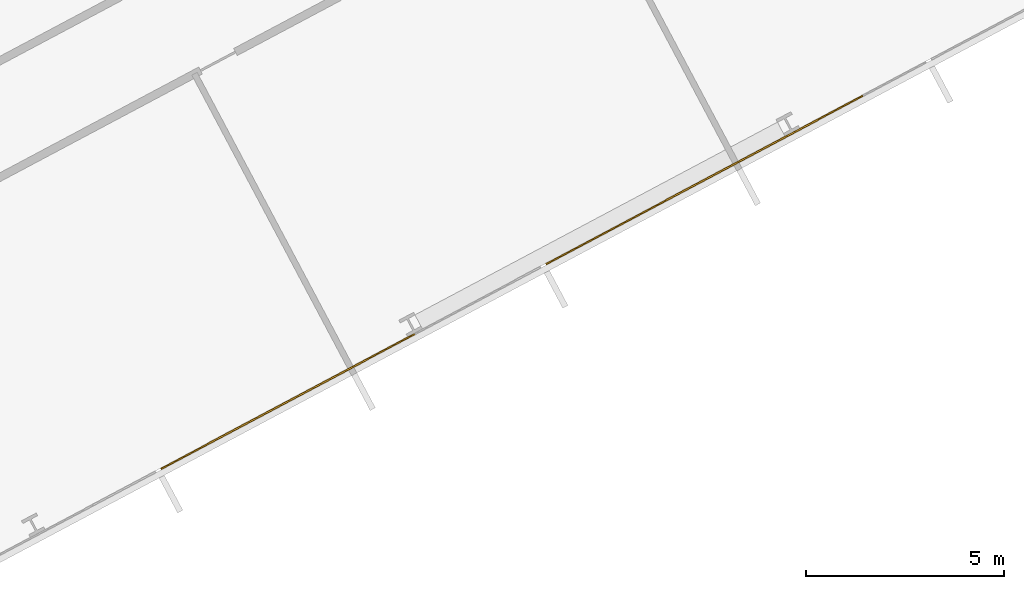
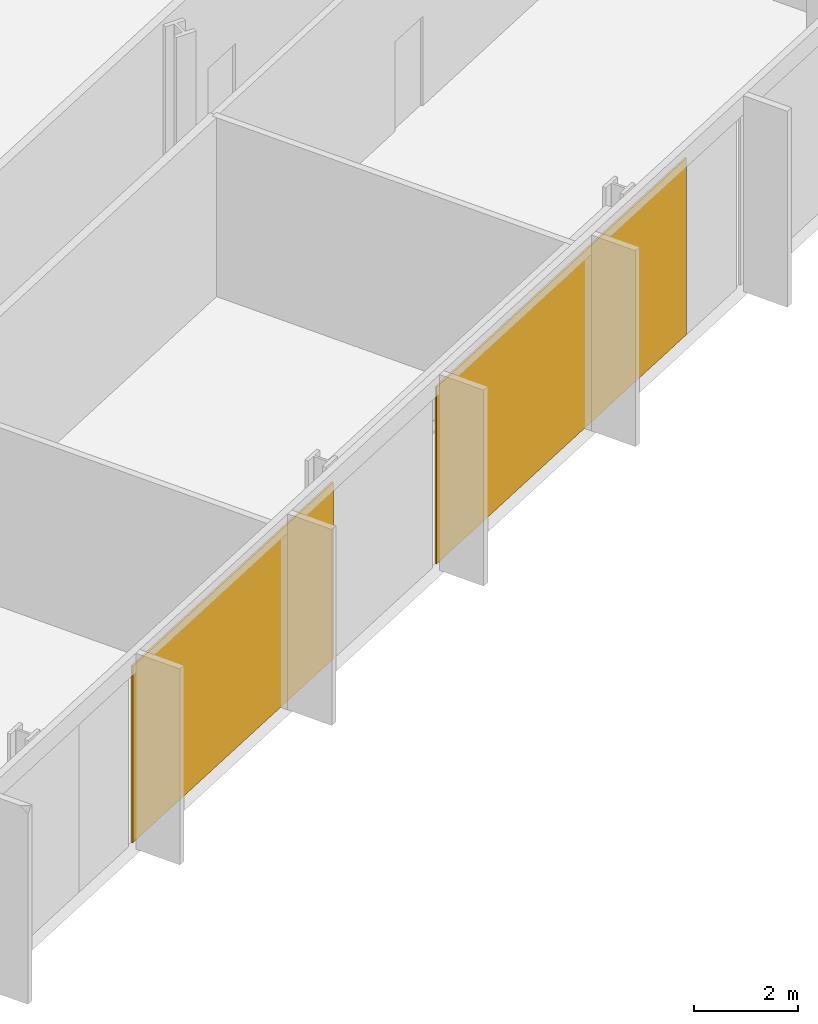
# One storey, part 28 of 31: 2 coverings, 1 element without a shape of its own.
"""IFC4 building model written with IfcOpenShell, lengths in metres."""

from ifc_helpers import new_model, si_unit, direction, frame, origin, origin_2d, place, context, subcontext, project, spatial, rectangle, extrude, material, layer, layer_set, type_object, element, aggregate, save


model = new_model("IFC4")

# Units and contexts
model_context = context("Model", 3, precision=1e-05, world=origin(), true_north=direction((0.0, 1.0)))
body_context = subcontext(model_context, "Body", "Model", "MODEL_VIEW")
ifc_project = project(units=[si_unit("LENGTHUNIT", "METRE"), si_unit("AREAUNIT", "SQUARE_METRE"), si_unit("VOLUMEUNIT", "CUBIC_METRE"), si_unit("PLANEANGLEUNIT", "RADIAN"), si_unit("MASSUNIT", "GRAM", prefix="KILO")], contexts=[model_context])

# Site, building, storey
site_placement = place(None, origin())
site = spatial("IfcSite", under=ifc_project, at=site_placement, CompositionType="ELEMENT")
building_placement = place(site_placement, origin())
building = spatial("IfcBuilding", under=site, at=building_placement, Name="Cormorant Relay Tower", CompositionType="ELEMENT")
storey_placement = place(building_placement, frame((0.0, 0.0, 98.39990234375)))
storey = spatial("IfcBuildingStorey", under=building, at=storey_placement, Name="L19", CompositionType="ELEMENT", Elevation=98.39990234375)

# Curtain wall, coverings
ifc_material_1 = material(Name="Aluminium 6063-T6 anodised bronze", Category="aluminium")
ifc_layer_1 = layer(ifc_material_1, 0.199951171875)
ifc_layer_set_1 = layer_set([ifc_layer_1], Name="CW1 unitised bronze curtain wall with vertical fins")
curtain_wall_type = type_object("IfcCurtainWallType", Name="CW1 unitised bronze curtain wall with vertical fins", PredefinedType="NOTDEFINED", material=ifc_layer_set_1)
curtain_wall_placement = place(storey_placement, origin())
curtain_wall = element("IfcCurtainWall", 1, at=curtain_wall_placement, inside=storey, type_object=curtain_wall_type, Name="CW1 curtain wall 2", PredefinedType="NOTDEFINED")
ifc_material_2 = material(Name="Pale bronze anodised aluminium insulated panel", Category="aluminium")
ifc_layer_2 = layer(ifc_material_2, 0.0400390625)
ifc_layer_set_2 = layer_set([ifc_layer_2], Name="CW1 pale bronze insulated panel 40")
covering_type = type_object("IfcCoveringType", Name="CW1 pale bronze insulated panel 40", PredefinedType="CLADDING", material=ifc_layer_set_2)
covering_1_placement = place(storey_placement, frame((49.735595703125, 2.63818359375, 0.000244140625), z_axis=(0.0, 0.0, 1.0), x_axis=(0.882947592859, 0.469471562786, 0.0)))
covering_1 = element("IfcCovering", 2, at=covering_1_placement, type_object=covering_type, Name="CW1 panel S09", PredefinedType="CLADDING", context=body_context, shape_type="SweptSolid", body=[
    extrude(rectangle(XDim=7.273681640625, YDim=0.0400390625, at=origin_2d()), origin(), (0.0, 0.0, 1.0), 4.14990234375),
])
covering_2_placement = place(storey_placement, frame((60.263671875, 8.236083984375, 0.000244140625), z_axis=(0.0, 0.0, 1.0), x_axis=(0.882947592859, 0.469471562786, 0.0)))
covering_2 = element("IfcCovering", 3, at=covering_2_placement, type_object=covering_type, Name="CW1 panel S11", PredefinedType="CLADDING", context=body_context, shape_type="SweptSolid", body=[
    extrude(rectangle(XDim=9.07373046875, YDim=0.0400390625, at=origin_2d()), origin(), (0.0, 0.0, 1.0), 4.14990234375),
])
aggregate(curtain_wall, [covering_1, covering_2])

save(model, "model.ifc")
